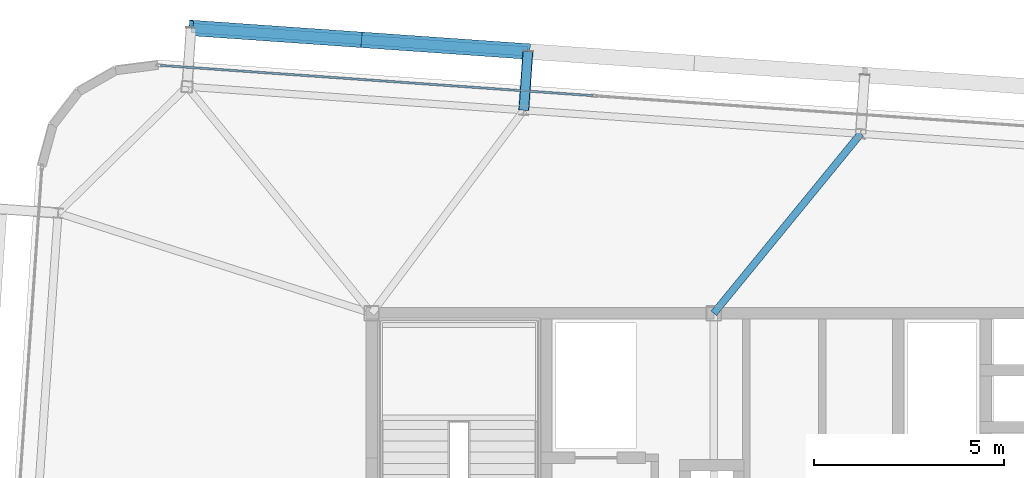
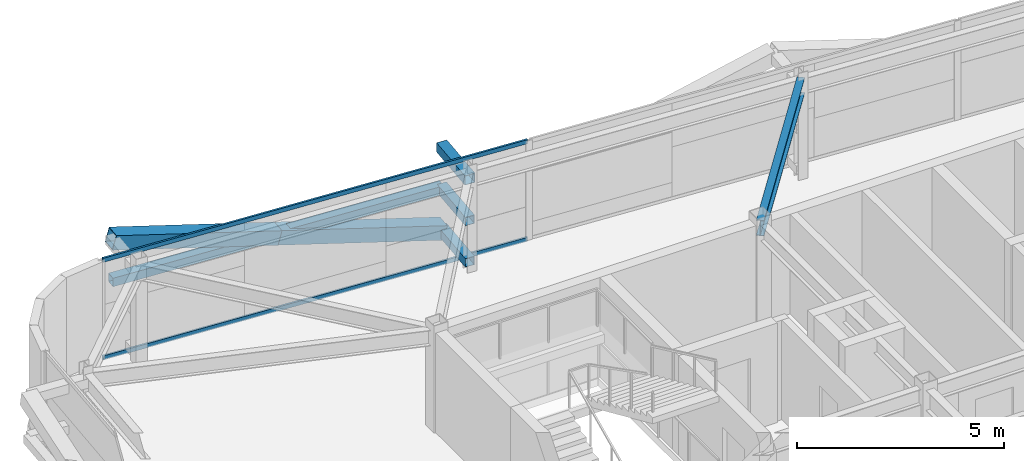
# One storey, part 20 of 39: 8 members, 1 beam, 1 element without a shape of its own.
"""IFC4 building model written with IfcOpenShell, lengths in metres."""

from ifc_helpers import new_model, si_unit, direction, frame, origin, origin_2d, place, context, subcontext, project, spatial, hollow_rectangle, i_section, extrude, source, transform, mapped, material, layer, layer_set, material_profile, profile_set, type_object, element, aggregate, save


model = new_model("IFC4")

# Units and contexts
model_context = context("Model", 3, precision=1e-05, world=origin(), true_north=direction((0.0, 1.0)))
body_context = subcontext(model_context, "Body", "Model", "MODEL_VIEW")
ifc_project = project(units=[si_unit("LENGTHUNIT", "METRE"), si_unit("AREAUNIT", "SQUARE_METRE"), si_unit("VOLUMEUNIT", "CUBIC_METRE"), si_unit("PLANEANGLEUNIT", "RADIAN"), si_unit("MASSUNIT", "GRAM", prefix="KILO")], contexts=[model_context])

# Site, building, storey
site_placement = place(None, origin())
site = spatial("IfcSite", under=ifc_project, at=site_placement, CompositionType="ELEMENT")
building_placement = place(site_placement, origin())
building = spatial("IfcBuilding", under=site, at=building_placement, Name="Taldren Reach Tower", CompositionType="ELEMENT")
storey_placement = place(building_placement, frame((0.0, 0.0, 136.14990234375)))
storey = spatial("IfcBuildingStorey", under=building, at=storey_placement, Name="L41", CompositionType="ELEMENT", Elevation=136.14990234375)

# Members
ifc_material_1 = material(Name="Steel Gr 450 (C450L0)", Category="steel")
ifc_material_profile_1 = material_profile(ifc_material_1, hollow_rectangle(XDim=0.27490234375, YDim=0.27490234375, WallThickness=0.00927734375, at=origin_2d()), Name="275x275x9.3SHS")
ifc_profile_set_1 = profile_set([ifc_material_profile_1], Name="Steel Gr 450 (C450L0)")
member_type_1 = type_object("IfcMemberType", Name="MB-TIE273", PredefinedType="STRUT", material=ifc_profile_set_1)
shared_shape_1 = source(origin(), body_context, "Body", "SweptSolid", [
    extrude(hollow_rectangle(XDim=0.27490234375, YDim=0.27490234375, WallThickness=0.00927734375, at=origin_2d()), origin(), (0.0, 0.0, 1.0), 1.5498046875),
])
member_1_placement = place(storey_placement, frame((23.0029296875, 37.33935546875, 2.650146484375), z_axis=(0.069780535098, 0.997562367434, 0.0), x_axis=(-0.997562367434, 0.069780535098, 0.0)))
element("IfcMember", 1, at=member_1_placement, inside=storey, type_object=member_type_1, Name="Exoskeleton diaphragm tie strut B3-N2 L41", PredefinedType="STRUT", context=body_context, shape_type="MappedRepresentation", body=[
    mapped(shared_shape_1, transform((0.0, 0.0, 0.0), scale=1.0)),
])
ifc_material_2 = material(Name="Steel Gr 350 (C350L0)", Category="steel")
ifc_material_profile_2 = material_profile(ifc_material_2, hollow_rectangle(XDim=0.25, YDim=0.25, WallThickness=0.010009765625, at=origin_2d()), Name="250x250x10.0SHS")
ifc_profile_set_2 = profile_set([ifc_material_profile_2], Name="Steel Gr 350 (C350L0)")
member_type_2 = type_object("IfcMemberType", Name="MB-POST250", PredefinedType="POST", material=ifc_profile_set_2)
shared_shape_2 = source(origin(), body_context, "Body", "SweptSolid", [
    extrude(hollow_rectangle(XDim=0.25, YDim=0.25, WallThickness=0.010009765625, at=origin_2d()), origin(), (0.0, 0.0, 1.0), 1.5498046875),
])
for number, where, z_axis, x_axis, name in (
    (2, (23.0029296875, 37.33935546875, 0.22021484375), (0.069780535098, 0.997562367434, 0.0), (-0.997562367434, 0.069780535098, 0.0), "Exoskeleton base diaphragm tie strut B3-N2 L41"),
    (3, (23.0029296875, 37.33935546875, 1.43505859375), (0.069780535098, 0.997562367434, 0.0), (-0.997562367434, 0.069780535098, 0.0), "Exoskeleton mid-tier diaphragm tie B3-N2 L41"),
):
    element("IfcMember", number, at=place(storey_placement, frame(where, z_axis=z_axis, x_axis=x_axis)), inside=storey, type_object=member_type_2, Name=name, PredefinedType="POST", context=body_context, shape_type="MappedRepresentation", body=[
        mapped(shared_shape_2, transform((0.0, 0.0, 0.0), scale=1.0)),
    ])

# Beam
ifc_material_3 = material(Name="Steel Gr 350 (350PLUS)", Category="steel")
ifc_material_profile_3 = material_profile(ifc_material_3, i_section(OverallWidth=0.19091796875, OverallDepth=0.4599609375, WebThickness=0.010009765625, FlangeThickness=0.01611328125, at=origin_2d()), Name="460UB82.1")
ifc_profile_set_3 = profile_set([ifc_material_profile_3], Name="Steel Gr 350 (350PLUS)")
beam_type = type_object("IfcBeamType", Name="BM-UB460A", PredefinedType="BEAM", material=ifc_profile_set_3)
shared_shape_3 = source(origin(), body_context, "Body", "SweptSolid", [
    extrude(i_section(OverallWidth=0.19091796875, OverallDepth=0.4599609375, WebThickness=0.010009765625, FlangeThickness=0.01611328125, at=origin_2d()), origin(), (0.0, 0.0, 1.0), 6.09814453125),
])
beam_placement = place(storey_placement, frame((28.0, 32.0, 2.7001953125), z_axis=(0.633192006663, 0.773994756247, 0.0), x_axis=(-0.773994756247, 0.633192006663, 0.0)))
element("IfcBeam", 4, at=beam_placement, inside=storey, type_object=beam_type, Name="Primary floor girder B3-N3 L41", PredefinedType="BEAM", context=body_context, shape_type="MappedRepresentation", body=[
    mapped(shared_shape_3, transform((0.0, 0.0, 0.0), scale=1.0)),
])

# Members
shared_shape_4 = source(origin(), body_context, "Body", "SweptSolid", [
    extrude(hollow_rectangle(XDim=0.25, YDim=0.25, WallThickness=0.010009765625, at=origin_2d()), origin(), (0.0, 0.0, 1.0), 8.880126953125),
])
member_2_placement = place(storey_placement, frame((14.252685546875, 39.5048828125, 1.43505859375), z_axis=(0.997564479639, -0.069750333063, 0.0), x_axis=(0.069750333063, 0.997564479639, 0.0)))
element("IfcMember", 5, at=member_2_placement, inside=storey, type_object=member_type_2, Name="Exoskeleton mid-height ring chord B3-N1 L41", PredefinedType="POST", context=body_context, shape_type="MappedRepresentation", body=[
    mapped(shared_shape_4, transform((0.0, 0.0, 0.0), scale=1.0)),
])
ifc_material_profile_4 = material_profile(ifc_material_1, hollow_rectangle(XDim=0.409912109375, YDim=0.409912109375, WallThickness=0.01611328125, at=origin_2d()), Name="410x410x16.0SHS")
ifc_profile_set_4 = profile_set([ifc_material_profile_4], Name="Steel Gr 450 (C450L0)")
member_type_3 = type_object("IfcMemberType", Name="MB-EXO406", PredefinedType="BRACE", material=ifc_profile_set_4)
shared_shape_5 = source(origin(), body_context, "Body", "SweptSolid", [
    extrude(hollow_rectangle(XDim=0.409912109375, YDim=0.409912109375, WallThickness=0.01611328125, at=origin_2d()), origin(), (0.0, 0.0, 1.0), 4.603271484375),
])
for number, where, z_axis, x_axis, name in (
    (6, (23.111083984375, 38.885498046875, 0.22021484375), (-0.962195820062, 0.067303852699, 0.263911718699), (-0.06977769246, -0.997562566276, 0.0), "Exoskeleton Diagrid Brace B3-N1 L41"),
    (7, (18.681884765625, 39.1953125, 1.43505859375), (-0.962185784239, 0.067250114343, 0.263962002434), (-0.069722973508, -0.997566392259, 0.0), "Exoskeleton Diagrid Brace B3-N1 L41"),
):
    element("IfcMember", number, at=place(storey_placement, frame(where, z_axis=z_axis, x_axis=x_axis)), inside=storey, type_object=member_type_3, Name=name, PredefinedType="BRACE", context=body_context, shape_type="MappedRepresentation", body=[
        mapped(shared_shape_5, transform((0.0, 0.0, 0.0), scale=1.0)),
    ])

# Curtain wall, members
ifc_material_4 = material(Name="Aluminium and Low-E Glass Unitised System", Category="aluminium")
ifc_layer = layer(ifc_material_4, 0.159912109375)
ifc_layer_set = layer_set([ifc_layer], Name="Aluminium and Low-E Glass Unitised System")
curtain_wall_type = type_object("IfcCurtainWallType", Name="CW-SYS-4", PredefinedType="NOTDEFINED", material=ifc_layer_set)
curtain_wall_placement = place(storey_placement, origin())
curtain_wall = element("IfcCurtainWall", 8, at=curtain_wall_placement, inside=storey, type_object=curtain_wall_type, Name="Unitised curtain wall CW-L41-N", PredefinedType="NOTDEFINED")
ifc_material_5 = material(Name="Anodised Aluminium 6063-T6", Category="aluminium")
ifc_material_profile_5 = material_profile(ifc_material_5, hollow_rectangle(XDim=0.054931640625, YDim=0.1201171875, WallThickness=0.0029296875, at=origin_2d()), Name="ALU-120x55x3RHS")
ifc_profile_set_5 = profile_set([ifc_material_profile_5], Name="Anodised Aluminium 6063-T6")
member_type_4 = type_object("IfcMemberType", Name="CW-TRN-135", PredefinedType="USERDEFINED", material=ifc_profile_set_5)
shared_shape_6 = source(origin(), body_context, "Body", "SweptSolid", [
    extrude(hollow_rectangle(XDim=0.054931640625, YDim=0.1201171875, WallThickness=0.0029296875, at=origin_2d()), origin(), (0.0, 0.0, 1.0), 11.39501953125),
])
member_3_placement = place(storey_placement, frame((24.819091796875, 37.7236328125, 0.027587890625), z_axis=(-0.997563740682, 0.069760900766, 0.0), x_axis=(-0.069760900766, -0.997563740682, 0.0)))
member_3 = element("IfcMember", 9, at=member_3_placement, type_object=member_type_4, Name="CW-4 transom 4.1", ObjectType="TRANSOM", PredefinedType="USERDEFINED", context=body_context, shape_type="MappedRepresentation", body=[
    mapped(shared_shape_6, transform((0.0, 0.0, 0.0), scale=1.0)),
])
member_4_placement = place(storey_placement, frame((24.819091796875, 37.7236328125, 2.902587890625), z_axis=(-0.997563740682, 0.069760900766, 0.0), x_axis=(-0.069760900766, -0.997563740682, 0.0)))
member_4 = element("IfcMember", 10, at=member_4_placement, type_object=member_type_4, Name="CW-4 transom 4.2", ObjectType="TRANSOM", PredefinedType="USERDEFINED", context=body_context, shape_type="MappedRepresentation", body=[
    mapped(shared_shape_6, transform((0.0, 0.0, 0.0), scale=1.0)),
])
aggregate(curtain_wall, [member_3, member_4])

save(model, "model.ifc")
